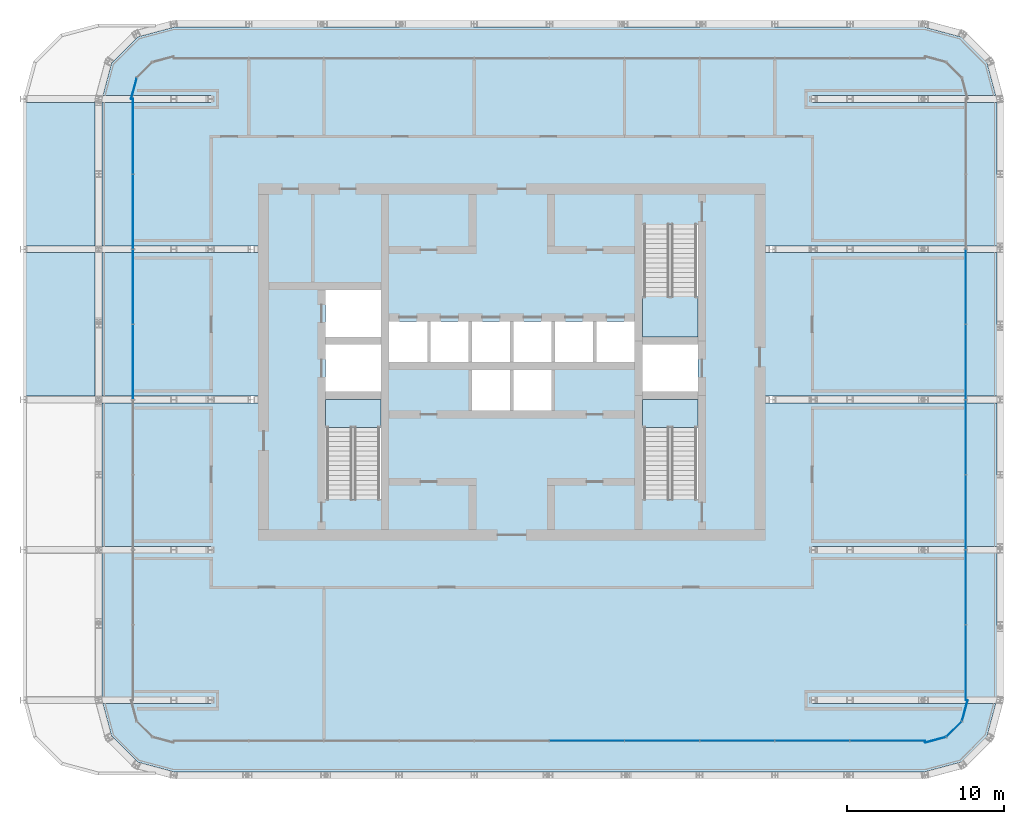
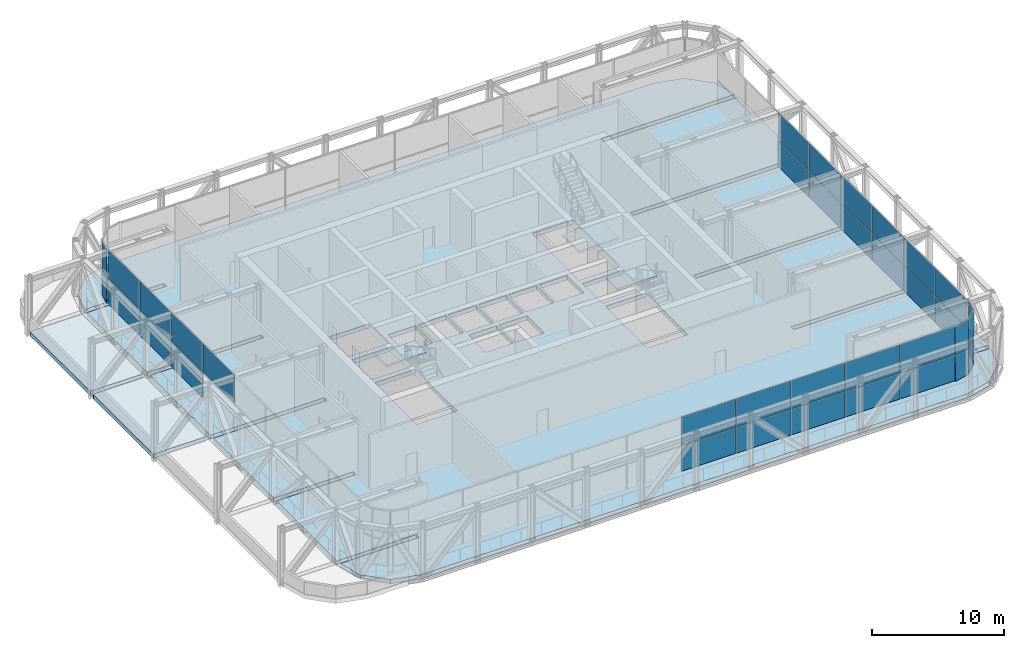
# One storey, part 18 of 30: 37 plates, 6 slabs, 8 elements without a shape of their own.
"""IFC4 building model written with IfcOpenShell, lengths in metres."""

from ifc_helpers import new_model, si_unit, direction, frame, origin, origin_2d, place, context, subcontext, project, spatial, polyline, rectangle, outline, extrude, material, layer, layer_set, type_object, element, aggregate, save


model = new_model("IFC4")

# Units and contexts
model_context = context("Model", 3, precision=1e-05, world=origin(), true_north=direction((0.0, 1.0)))
body_context = subcontext(model_context, "Body", "Model", "MODEL_VIEW")
ifc_project = project(units=[si_unit("LENGTHUNIT", "METRE"), si_unit("AREAUNIT", "SQUARE_METRE"), si_unit("VOLUMEUNIT", "CUBIC_METRE"), si_unit("PLANEANGLEUNIT", "RADIAN"), si_unit("MASSUNIT", "GRAM", prefix="KILO")], contexts=[model_context])

# Site, building, storey
site_placement = place(None, origin())
site = spatial("IfcSite", under=ifc_project, at=site_placement, CompositionType="ELEMENT")
building_placement = place(site_placement, origin())
building = spatial("IfcBuilding", under=site, at=building_placement, Name="Madar Terraces", CompositionType="ELEMENT")
storey_placement = place(building_placement, frame((0.0, 0.0, 173.5)))
storey = spatial("IfcBuildingStorey", under=building, at=storey_placement, Name="L45", CompositionType="ELEMENT", Elevation=173.5)

# Slab
ifc_material_1 = material(Name="Concrete C50/60", Category="concrete")
ifc_layer_1 = layer(ifc_material_1, 0.39990234375)
ifc_layer_set_1 = layer_set([ifc_layer_1], Name="FS6 PT flat slab 400")
slab_type_1 = type_object("IfcSlabType", Name="FS6 PT flat slab 400", PredefinedType="FLOOR", material=ifc_layer_set_1)
slab_1_placement = place(storey_placement, frame((0.0, 0.0, -0.39990234375)))
element("IfcSlab", 1, at=slab_1_placement, inside=storey, type_object=slab_type_1, Name="Floor slab L45 (1)", PredefinedType="FLOOR", context=body_context, shape_type="SweptSolid", body=[
    extrude(outline(polyline([(9.627685546875, 0.2109375), (57.572265625, 0.2109375), (59.890869140625, 0.83203125), (61.56787109375, 2.509033203125), (62.125244140625, 4.589111328125), (50.39990234375, 4.589111328125), (50.39990234375, 5.0107421875), (62.189208984375, 5.0107421875), (62.189208984375, 14.189208984375), (50.39990234375, 14.189208984375), (50.39990234375, 14.61083984375), (62.189208984375, 14.61083984375), (62.189208984375, 23.7890625), (47.39990234375, 23.7890625), (47.39990234375, 24.2109375), (62.189208984375, 24.2109375), (62.189208984375, 33.38916015625), (47.39990234375, 33.38916015625), (47.39990234375, 33.810791015625), (62.189208984375, 33.810791015625), (62.189208984375, 42.9892578125), (50.39990234375, 42.9892578125), (50.39990234375, 43.410888671875), (62.125244140625, 43.410888671875), (61.56787109375, 45.490966796875), (59.890869140625, 47.16796875), (57.572265625, 47.7890625), (9.627685546875, 47.7890625), (7.30908203125, 47.16796875), (5.632080078125, 45.490966796875), (5.07470703125, 43.410888671875), (12.0, 43.410888671875), (12.0, 42.9892578125), (5.0107421875, 42.9892578125), (5.0107421875, 33.810791015625), (15.0, 33.810791015625), (15.0, 33.38916015625), (5.0107421875, 33.38916015625), (5.0107421875, 24.2109375), (15.0, 24.2109375), (15.0, 23.7890625), (5.0107421875, 23.7890625), (5.0107421875, 14.61083984375), (12.0, 14.61083984375), (12.0, 14.189208984375), (5.0107421875, 14.189208984375), (5.0107421875, 5.0107421875), (12.0, 5.0107421875), (12.0, 4.589111328125), (5.07470703125, 4.589111328125), (5.632080078125, 2.509033203125), (7.30908203125, 0.83203125), (9.627685546875, 0.2109375)]), holes=[polyline([(22.85009765625, 17.64990234375), (19.300048828125, 17.64990234375), (19.300048828125, 24.0), (22.85009765625, 24.0), (22.85009765625, 17.64990234375)]), polyline([(28.64990234375, 23.300048828125), (28.64990234375, 25.89990234375), (31.10009765625, 25.89990234375), (31.10009765625, 23.300048828125), (28.64990234375, 23.300048828125)]), polyline([(19.300048828125, 24.5), (19.300048828125, 27.5), (22.85009765625, 27.5), (22.85009765625, 24.5), (19.300048828125, 24.5)]), polyline([(23.35009765625, 26.39990234375), (23.35009765625, 29.0), (25.800048828125, 29.0), (25.800048828125, 26.39990234375), (23.35009765625, 26.39990234375)]), polyline([(26.0, 26.39990234375), (26.0, 29.0), (28.449951171875, 29.0), (28.449951171875, 26.39990234375), (26.0, 26.39990234375)]), polyline([(28.64990234375, 26.39990234375), (28.64990234375, 29.0), (31.10009765625, 29.0), (31.10009765625, 26.39990234375), (28.64990234375, 26.39990234375)]), polyline([(19.300048828125, 28.0), (19.300048828125, 31.0), (22.85009765625, 31.0), (22.85009765625, 28.0), (19.300048828125, 28.0)]), polyline([(43.10009765625, 17.64990234375), (39.550048828125, 17.64990234375), (39.550048828125, 24.0), (43.10009765625, 24.0), (43.10009765625, 17.64990234375)]), polyline([(31.300048828125, 23.300048828125), (31.300048828125, 25.89990234375), (33.75, 25.89990234375), (33.75, 23.300048828125), (31.300048828125, 23.300048828125)]), polyline([(39.550048828125, 24.5), (39.550048828125, 27.5), (43.10009765625, 27.5), (43.10009765625, 24.5), (39.550048828125, 24.5)]), polyline([(31.300048828125, 26.39990234375), (31.300048828125, 29.0), (33.75, 29.0), (33.75, 26.39990234375), (31.300048828125, 26.39990234375)]), polyline([(33.949951171875, 26.39990234375), (33.949951171875, 29.0), (36.39990234375, 29.0), (36.39990234375, 26.39990234375), (33.949951171875, 26.39990234375)]), polyline([(36.60009765625, 26.39990234375), (36.60009765625, 29.0), (39.050048828125, 29.0), (39.050048828125, 26.39990234375), (36.60009765625, 26.39990234375)]), polyline([(39.550048828125, 28.0), (39.550048828125, 35.14990234375), (43.10009765625, 35.14990234375), (43.10009765625, 28.0), (39.550048828125, 28.0)])]), origin(), (0.0, 0.0, 1.0), 0.39990234375),
])

# Curtain wall, plates
ifc_material_2 = material(Name="Glass, ceramic frit dark grey, with black aluminium frame", Category="aluminium")
ifc_layer_2 = layer(ifc_material_2, 0.199951171875)
ifc_layer_set_2 = layer_set([ifc_layer_2], Name="Facade curtain wall, tall glazing")
curtain_wall_type = type_object("IfcCurtainWallType", Name="Facade curtain wall, tall glazing", PredefinedType="NOTDEFINED", material=ifc_layer_set_2)
curtain_wall_1_placement = place(storey_placement, origin())
curtain_wall_1 = element("IfcCurtainWall", 2, at=curtain_wall_1_placement, inside=storey, type_object=curtain_wall_type, Name="Outer skin curtain wall south bay 1", PredefinedType="NOTDEFINED")
ifc_material_3 = material(Name="Glass, ceramic frit dark grey", Category="glass")
ifc_layer_3 = layer(ifc_material_3, 0.028076171875)
ifc_layer_set_3 = layer_set([ifc_layer_3], Name="Facade glass panel 28")
plate_type = type_object("IfcPlateType", Name="Facade glass panel 28", PredefinedType="CURTAIN_PANEL", material=ifc_layer_set_3)
plate_1_placement = place(storey_placement, frame((36.0, 2.199951171875, 0.0), z_axis=(0.0, 0.0, 1.0), x_axis=(1.0, 0.0, 0.0)))
plate_1 = element("IfcPlate", 3, at=plate_1_placement, type_object=plate_type, Name="Panel 11", PredefinedType="CURTAIN_PANEL", context=body_context, shape_type="SweptSolid", body=[
    extrude(rectangle(XDim=4.739990234375, YDim=0.028076171875, at=origin_2d()), origin(), (0.0, 0.0, 1.0), 2.3701171875),
])
plate_2_placement = place(storey_placement, frame((36.0, 2.199951171875, 2.43017578125), z_axis=(0.0, 0.0, 1.0), x_axis=(1.0, 0.0, 0.0)))
plate_2 = element("IfcPlate", 4, at=plate_2_placement, type_object=plate_type, Name="Panel 12", PredefinedType="CURTAIN_PANEL", context=body_context, shape_type="SweptSolid", body=[
    extrude(rectangle(XDim=4.739990234375, YDim=0.028076171875, at=origin_2d()), origin(), (0.0, 0.0, 1.0), 2.610107421875),
])
plate_3_placement = place(storey_placement, frame((40.800048828125, 2.199951171875, 0.0), z_axis=(0.0, 0.0, 1.0), x_axis=(1.0, 0.0, 0.0)))
plate_3 = element("IfcPlate", 5, at=plate_3_placement, type_object=plate_type, Name="Panel 13", PredefinedType="CURTAIN_PANEL", context=body_context, shape_type="SweptSolid", body=[
    extrude(rectangle(XDim=4.739990234375, YDim=0.028076171875, at=origin_2d()), origin(), (0.0, 0.0, 1.0), 2.3701171875),
])
plate_4_placement = place(storey_placement, frame((40.800048828125, 2.199951171875, 2.43017578125), z_axis=(0.0, 0.0, 1.0), x_axis=(1.0, 0.0, 0.0)))
plate_4 = element("IfcPlate", 6, at=plate_4_placement, type_object=plate_type, Name="Panel 14", PredefinedType="CURTAIN_PANEL", context=body_context, shape_type="SweptSolid", body=[
    extrude(rectangle(XDim=4.739990234375, YDim=0.028076171875, at=origin_2d()), origin(), (0.0, 0.0, 1.0), 2.610107421875),
])
plate_5_placement = place(storey_placement, frame((45.60009765625, 2.199951171875, 0.0), z_axis=(0.0, 0.0, 1.0), x_axis=(1.0, 0.0, 0.0)))
plate_5 = element("IfcPlate", 7, at=plate_5_placement, type_object=plate_type, Name="Panel 15", PredefinedType="CURTAIN_PANEL", context=body_context, shape_type="SweptSolid", body=[
    extrude(rectangle(XDim=4.739990234375, YDim=0.028076171875, at=origin_2d()), origin(), (0.0, 0.0, 1.0), 2.3701171875),
])
plate_6_placement = place(storey_placement, frame((45.60009765625, 2.199951171875, 2.43017578125), z_axis=(0.0, 0.0, 1.0), x_axis=(1.0, 0.0, 0.0)))
plate_6 = element("IfcPlate", 8, at=plate_6_placement, type_object=plate_type, Name="Panel 16", PredefinedType="CURTAIN_PANEL", context=body_context, shape_type="SweptSolid", body=[
    extrude(rectangle(XDim=4.739990234375, YDim=0.028076171875, at=origin_2d()), origin(), (0.0, 0.0, 1.0), 2.610107421875),
])
plate_7_placement = place(storey_placement, frame((50.39990234375, 2.199951171875, 0.0), z_axis=(0.0, 0.0, 1.0), x_axis=(1.0, 0.0, 0.0)))
plate_7 = element("IfcPlate", 9, at=plate_7_placement, type_object=plate_type, Name="Panel 17", PredefinedType="CURTAIN_PANEL", context=body_context, shape_type="SweptSolid", body=[
    extrude(rectangle(XDim=4.739990234375, YDim=0.028076171875, at=origin_2d()), origin(), (0.0, 0.0, 1.0), 2.3701171875),
])
plate_8_placement = place(storey_placement, frame((50.39990234375, 2.199951171875, 2.43017578125), z_axis=(0.0, 0.0, 1.0), x_axis=(1.0, 0.0, 0.0)))
plate_8 = element("IfcPlate", 10, at=plate_8_placement, type_object=plate_type, Name="Panel 18", PredefinedType="CURTAIN_PANEL", context=body_context, shape_type="SweptSolid", body=[
    extrude(rectangle(XDim=4.739990234375, YDim=0.028076171875, at=origin_2d()), origin(), (0.0, 0.0, 1.0), 2.610107421875),
])
plate_9_placement = place(storey_placement, frame((55.215087890625, 2.199951171875, 0.0), z_axis=(0.0, 0.0, 1.0), x_axis=(1.0, 0.0, 0.0)))
plate_9 = element("IfcPlate", 11, at=plate_9_placement, type_object=plate_type, Name="Panel 19", PredefinedType="CURTAIN_PANEL", context=body_context, shape_type="SweptSolid", body=[
    extrude(rectangle(XDim=4.77001953125, YDim=0.028076171875, at=origin_2d()), origin(), (0.0, 0.0, 1.0), 2.3701171875),
])
plate_10_placement = place(storey_placement, frame((55.215087890625, 2.199951171875, 2.43017578125), z_axis=(0.0, 0.0, 1.0), x_axis=(1.0, 0.0, 0.0)))
plate_10 = element("IfcPlate", 12, at=plate_10_placement, type_object=plate_type, Name="Panel 20", PredefinedType="CURTAIN_PANEL", context=body_context, shape_type="SweptSolid", body=[
    extrude(rectangle(XDim=4.77001953125, YDim=0.028076171875, at=origin_2d()), origin(), (0.0, 0.0, 1.0), 2.610107421875),
])
aggregate(curtain_wall_1, [plate_1, plate_2, plate_3, plate_4, plate_5, plate_6, plate_7, plate_8, plate_9, plate_10])

curtain_wall_2_placement = place(storey_placement, origin())
curtain_wall_2 = element("IfcCurtainWall", 13, at=curtain_wall_2_placement, inside=storey, type_object=curtain_wall_type, Name="Outer skin curtain wall east bay 1", PredefinedType="NOTDEFINED")
plate_11_placement = place(storey_placement, frame((60.199951171875, 7.18505859375, 0.0), z_axis=(0.0, 0.0, 1.0), x_axis=(0.0, 1.0, 0.0)))
plate_11 = element("IfcPlate", 14, at=plate_11_placement, type_object=plate_type, Name="Panel 1", PredefinedType="CURTAIN_PANEL", context=body_context, shape_type="SweptSolid", body=[
    extrude(rectangle(XDim=4.77001953125, YDim=0.028076171875, at=origin_2d()), origin(), (0.0, 0.0, 1.0), 2.3701171875),
])
plate_12_placement = place(storey_placement, frame((60.199951171875, 7.18505859375, 2.43017578125), z_axis=(0.0, 0.0, 1.0), x_axis=(0.0, 1.0, 0.0)))
plate_12 = element("IfcPlate", 15, at=plate_12_placement, type_object=plate_type, Name="Panel 2", PredefinedType="CURTAIN_PANEL", context=body_context, shape_type="SweptSolid", body=[
    extrude(rectangle(XDim=4.77001953125, YDim=0.028076171875, at=origin_2d()), origin(), (0.0, 0.0, 1.0), 2.610107421875),
])
plate_13_placement = place(storey_placement, frame((60.199951171875, 12.0, 0.0), z_axis=(0.0, 0.0, 1.0), x_axis=(0.0, 1.0, 0.0)))
plate_13 = element("IfcPlate", 16, at=plate_13_placement, type_object=plate_type, Name="Panel 3", PredefinedType="CURTAIN_PANEL", context=body_context, shape_type="SweptSolid", body=[
    extrude(rectangle(XDim=4.739990234375, YDim=0.028076171875, at=origin_2d()), origin(), (0.0, 0.0, 1.0), 2.3701171875),
])
plate_14_placement = place(storey_placement, frame((60.199951171875, 12.0, 2.43017578125), z_axis=(0.0, 0.0, 1.0), x_axis=(0.0, 1.0, 0.0)))
plate_14 = element("IfcPlate", 17, at=plate_14_placement, type_object=plate_type, Name="Panel 4", PredefinedType="CURTAIN_PANEL", context=body_context, shape_type="SweptSolid", body=[
    extrude(rectangle(XDim=4.739990234375, YDim=0.028076171875, at=origin_2d()), origin(), (0.0, 0.0, 1.0), 2.610107421875),
])
plate_15_placement = place(storey_placement, frame((60.199951171875, 16.800048828125, 0.0), z_axis=(0.0, 0.0, 1.0), x_axis=(0.0, 1.0, 0.0)))
plate_15 = element("IfcPlate", 18, at=plate_15_placement, type_object=plate_type, Name="Panel 5", PredefinedType="CURTAIN_PANEL", context=body_context, shape_type="SweptSolid", body=[
    extrude(rectangle(XDim=4.739990234375, YDim=0.028076171875, at=origin_2d()), origin(), (0.0, 0.0, 1.0), 2.3701171875),
])
plate_16_placement = place(storey_placement, frame((60.199951171875, 16.800048828125, 2.43017578125), z_axis=(0.0, 0.0, 1.0), x_axis=(0.0, 1.0, 0.0)))
plate_16 = element("IfcPlate", 19, at=plate_16_placement, type_object=plate_type, Name="Panel 6", PredefinedType="CURTAIN_PANEL", context=body_context, shape_type="SweptSolid", body=[
    extrude(rectangle(XDim=4.739990234375, YDim=0.028076171875, at=origin_2d()), origin(), (0.0, 0.0, 1.0), 2.610107421875),
])
plate_17_placement = place(storey_placement, frame((60.199951171875, 21.60009765625, 0.0), z_axis=(0.0, 0.0, 1.0), x_axis=(0.0, 1.0, 0.0)))
plate_17 = element("IfcPlate", 20, at=plate_17_placement, type_object=plate_type, Name="Panel 7", PredefinedType="CURTAIN_PANEL", context=body_context, shape_type="SweptSolid", body=[
    extrude(rectangle(XDim=4.739990234375, YDim=0.028076171875, at=origin_2d()), origin(), (0.0, 0.0, 1.0), 2.3701171875),
])
plate_18_placement = place(storey_placement, frame((60.199951171875, 21.60009765625, 2.43017578125), z_axis=(0.0, 0.0, 1.0), x_axis=(0.0, 1.0, 0.0)))
plate_18 = element("IfcPlate", 21, at=plate_18_placement, type_object=plate_type, Name="Panel 8", PredefinedType="CURTAIN_PANEL", context=body_context, shape_type="SweptSolid", body=[
    extrude(rectangle(XDim=4.739990234375, YDim=0.028076171875, at=origin_2d()), origin(), (0.0, 0.0, 1.0), 2.610107421875),
])
plate_19_placement = place(storey_placement, frame((60.199951171875, 26.39990234375, 0.0), z_axis=(0.0, 0.0, 1.0), x_axis=(0.0, 1.0, 0.0)))
plate_19 = element("IfcPlate", 22, at=plate_19_placement, type_object=plate_type, Name="Panel 9", PredefinedType="CURTAIN_PANEL", context=body_context, shape_type="SweptSolid", body=[
    extrude(rectangle(XDim=4.739990234375, YDim=0.028076171875, at=origin_2d()), origin(), (0.0, 0.0, 1.0), 2.3701171875),
])
plate_20_placement = place(storey_placement, frame((60.199951171875, 26.39990234375, 2.43017578125), z_axis=(0.0, 0.0, 1.0), x_axis=(0.0, 1.0, 0.0)))
plate_20 = element("IfcPlate", 23, at=plate_20_placement, type_object=plate_type, Name="Panel 10", PredefinedType="CURTAIN_PANEL", context=body_context, shape_type="SweptSolid", body=[
    extrude(rectangle(XDim=4.739990234375, YDim=0.028076171875, at=origin_2d()), origin(), (0.0, 0.0, 1.0), 2.610107421875),
])
plate_21_placement = place(storey_placement, frame((60.199951171875, 31.199951171875, 0.0), z_axis=(0.0, 0.0, 1.0), x_axis=(0.0, 1.0, 0.0)))
plate_21 = element("IfcPlate", 24, at=plate_21_placement, type_object=plate_type, Name="Panel 11", PredefinedType="CURTAIN_PANEL", context=body_context, shape_type="SweptSolid", body=[
    extrude(rectangle(XDim=4.739990234375, YDim=0.028076171875, at=origin_2d()), origin(), (0.0, 0.0, 1.0), 2.3701171875),
])
plate_22_placement = place(storey_placement, frame((60.199951171875, 31.199951171875, 2.43017578125), z_axis=(0.0, 0.0, 1.0), x_axis=(0.0, 1.0, 0.0)))
plate_22 = element("IfcPlate", 25, at=plate_22_placement, type_object=plate_type, Name="Panel 12", PredefinedType="CURTAIN_PANEL", context=body_context, shape_type="SweptSolid", body=[
    extrude(rectangle(XDim=4.739990234375, YDim=0.028076171875, at=origin_2d()), origin(), (0.0, 0.0, 1.0), 2.610107421875),
])
aggregate(curtain_wall_2, [plate_11, plate_12, plate_13, plate_14, plate_15, plate_16, plate_17, plate_18, plate_19, plate_20, plate_21, plate_22])

curtain_wall_3_placement = place(storey_placement, origin())
curtain_wall_3 = element("IfcCurtainWall", 26, at=curtain_wall_3_placement, inside=storey, type_object=curtain_wall_type, Name="Outer skin curtain wall west bay 1", PredefinedType="NOTDEFINED")
plate_23_placement = place(storey_placement, frame((7.0, 40.81494140625, 0.0), z_axis=(0.0, 0.0, 1.0), x_axis=(0.0, -1.0, 0.0)))
plate_23 = element("IfcPlate", 27, at=plate_23_placement, type_object=plate_type, Name="Panel 1", PredefinedType="CURTAIN_PANEL", context=body_context, shape_type="SweptSolid", body=[
    extrude(rectangle(XDim=4.77001953125, YDim=0.028076171875, at=origin_2d()), origin(), (0.0, 0.0, 1.0), 2.3701171875),
])
plate_24_placement = place(storey_placement, frame((7.0, 40.81494140625, 2.43017578125), z_axis=(0.0, 0.0, 1.0), x_axis=(0.0, -1.0, 0.0)))
plate_24 = element("IfcPlate", 28, at=plate_24_placement, type_object=plate_type, Name="Panel 2", PredefinedType="CURTAIN_PANEL", context=body_context, shape_type="SweptSolid", body=[
    extrude(rectangle(XDim=4.77001953125, YDim=0.028076171875, at=origin_2d()), origin(), (0.0, 0.0, 1.0), 2.610107421875),
])
plate_25_placement = place(storey_placement, frame((7.0, 36.0, 0.0), z_axis=(0.0, 0.0, 1.0), x_axis=(0.0, -1.0, 0.0)))
plate_25 = element("IfcPlate", 29, at=plate_25_placement, type_object=plate_type, Name="Panel 3", PredefinedType="CURTAIN_PANEL", context=body_context, shape_type="SweptSolid", body=[
    extrude(rectangle(XDim=4.739990234375, YDim=0.028076171875, at=origin_2d()), origin(), (0.0, 0.0, 1.0), 2.3701171875),
])
plate_26_placement = place(storey_placement, frame((7.0, 36.0, 2.43017578125), z_axis=(0.0, 0.0, 1.0), x_axis=(0.0, -1.0, 0.0)))
plate_26 = element("IfcPlate", 30, at=plate_26_placement, type_object=plate_type, Name="Panel 4", PredefinedType="CURTAIN_PANEL", context=body_context, shape_type="SweptSolid", body=[
    extrude(rectangle(XDim=4.739990234375, YDim=0.028076171875, at=origin_2d()), origin(), (0.0, 0.0, 1.0), 2.610107421875),
])
plate_27_placement = place(storey_placement, frame((7.0, 31.199951171875, 0.0), z_axis=(0.0, 0.0, 1.0), x_axis=(0.0, -1.0, 0.0)))
plate_27 = element("IfcPlate", 31, at=plate_27_placement, type_object=plate_type, Name="Panel 5", PredefinedType="CURTAIN_PANEL", context=body_context, shape_type="SweptSolid", body=[
    extrude(rectangle(XDim=4.739990234375, YDim=0.028076171875, at=origin_2d()), origin(), (0.0, 0.0, 1.0), 2.3701171875),
])
plate_28_placement = place(storey_placement, frame((7.0, 31.199951171875, 2.43017578125), z_axis=(0.0, 0.0, 1.0), x_axis=(0.0, -1.0, 0.0)))
plate_28 = element("IfcPlate", 32, at=plate_28_placement, type_object=plate_type, Name="Panel 6", PredefinedType="CURTAIN_PANEL", context=body_context, shape_type="SweptSolid", body=[
    extrude(rectangle(XDim=4.739990234375, YDim=0.028076171875, at=origin_2d()), origin(), (0.0, 0.0, 1.0), 2.610107421875),
])
plate_29_placement = place(storey_placement, frame((7.0, 26.39990234375, 2.43017578125), z_axis=(0.0, 0.0, 1.0), x_axis=(0.0, -1.0, 0.0)))
plate_29 = element("IfcPlate", 33, at=plate_29_placement, type_object=plate_type, Name="Panel 8", PredefinedType="CURTAIN_PANEL", context=body_context, shape_type="SweptSolid", body=[
    extrude(rectangle(XDim=4.739990234375, YDim=0.028076171875, at=origin_2d()), origin(), (0.0, 0.0, 1.0), 2.610107421875),
])
aggregate(curtain_wall_3, [plate_23, plate_24, plate_25, plate_26, plate_27, plate_28, plate_29])

curtain_wall_4_placement = place(storey_placement, origin())
curtain_wall_4 = element("IfcCurtainWall", 34, at=curtain_wall_4_placement, inside=storey, type_object=curtain_wall_type, Name="Outer skin curtain wall south-east corner", PredefinedType="NOTDEFINED")
plate_30_placement = place(storey_placement, frame((58.265625, 2.25830078125, 0.0), z_axis=(0.0, 0.0, 1.0), x_axis=(0.965925808834, 0.258819110244, 0.0)))
plate_30 = element("IfcPlate", 35, at=plate_30_placement, type_object=plate_type, Name="Panel 1", PredefinedType="CURTAIN_PANEL", context=body_context, shape_type="SweptSolid", body=[
    extrude(rectangle(XDim=1.3779296875, YDim=0.028076171875, at=origin_2d()), origin(), (0.0, 0.0, 1.0), 2.3701171875),
])
plate_31_placement = place(storey_placement, frame((58.265625, 2.25830078125, 2.43017578125), z_axis=(0.0, 0.0, 1.0), x_axis=(0.965925808834, 0.258819110244, 0.0)))
plate_31 = element("IfcPlate", 36, at=plate_31_placement, type_object=plate_type, Name="Panel 2", PredefinedType="CURTAIN_PANEL", context=body_context, shape_type="SweptSolid", body=[
    extrude(rectangle(XDim=1.3779296875, YDim=0.028076171875, at=origin_2d()), origin(), (0.0, 0.0, 1.0), 2.610107421875),
])
plate_32_placement = place(storey_placement, frame((59.457763671875, 2.942138671875, 0.0), z_axis=(0.0, 0.0, 1.0), x_axis=(0.707106781187, 0.707106781187, 0.0)))
plate_32 = element("IfcPlate", 37, at=plate_32_placement, type_object=plate_type, Name="Panel 3", PredefinedType="CURTAIN_PANEL", context=body_context, shape_type="SweptSolid", body=[
    extrude(rectangle(XDim=1.347900390625, YDim=0.028076171875, at=origin_2d()), origin(), (0.0, 0.0, 1.0), 2.3701171875),
])
plate_33_placement = place(storey_placement, frame((59.457763671875, 2.942138671875, 2.43017578125), z_axis=(0.0, 0.0, 1.0), x_axis=(0.707106781187, 0.707106781187, 0.0)))
plate_33 = element("IfcPlate", 38, at=plate_33_placement, type_object=plate_type, Name="Panel 4", PredefinedType="CURTAIN_PANEL", context=body_context, shape_type="SweptSolid", body=[
    extrude(rectangle(XDim=1.347900390625, YDim=0.028076171875, at=origin_2d()), origin(), (0.0, 0.0, 1.0), 2.610107421875),
])
plate_34_placement = place(storey_placement, frame((60.1416015625, 4.134521484375, 0.0), z_axis=(0.0, 0.0, 1.0), x_axis=(0.258819110244, 0.965925808834, 0.0)))
plate_34 = element("IfcPlate", 39, at=plate_34_placement, type_object=plate_type, Name="Panel 5", PredefinedType="CURTAIN_PANEL", context=body_context, shape_type="SweptSolid", body=[
    extrude(rectangle(XDim=1.3779296875, YDim=0.028076171875, at=origin_2d()), origin(), (0.0, 0.0, 1.0), 2.3701171875),
])
plate_35_placement = place(storey_placement, frame((60.1416015625, 4.134521484375, 2.43017578125), z_axis=(0.0, 0.0, 1.0), x_axis=(0.258819110244, 0.965925808834, 0.0)))
plate_35 = element("IfcPlate", 40, at=plate_35_placement, type_object=plate_type, Name="Panel 6", PredefinedType="CURTAIN_PANEL", context=body_context, shape_type="SweptSolid", body=[
    extrude(rectangle(XDim=1.3779296875, YDim=0.028076171875, at=origin_2d()), origin(), (0.0, 0.0, 1.0), 2.610107421875),
])
aggregate(curtain_wall_4, [plate_30, plate_31, plate_32, plate_33, plate_34, plate_35])

curtain_wall_5_placement = place(storey_placement, origin())
curtain_wall_5 = element("IfcCurtainWall", 41, at=curtain_wall_5_placement, inside=storey, type_object=curtain_wall_type, Name="Outer skin curtain wall north-west corner", PredefinedType="NOTDEFINED")
plate_36_placement = place(storey_placement, frame((7.058349609375, 43.865478515625, 0.0), z_axis=(0.0, 0.0, 1.0), x_axis=(-0.258819110244, -0.965925808834, 0.0)))
plate_36 = element("IfcPlate", 42, at=plate_36_placement, type_object=plate_type, Name="Panel 5", PredefinedType="CURTAIN_PANEL", context=body_context, shape_type="SweptSolid", body=[
    extrude(rectangle(XDim=1.3779296875, YDim=0.028076171875, at=origin_2d()), origin(), (0.0, 0.0, 1.0), 2.3701171875),
])
plate_37_placement = place(storey_placement, frame((7.058349609375, 43.865478515625, 2.43017578125), z_axis=(0.0, 0.0, 1.0), x_axis=(-0.258819110244, -0.965925808834, 0.0)))
plate_37 = element("IfcPlate", 43, at=plate_37_placement, type_object=plate_type, Name="Panel 6", PredefinedType="CURTAIN_PANEL", context=body_context, shape_type="SweptSolid", body=[
    extrude(rectangle(XDim=1.3779296875, YDim=0.028076171875, at=origin_2d()), origin(), (0.0, 0.0, 1.0), 2.610107421875),
])
aggregate(curtain_wall_5, [plate_36, plate_37])

# Stair, slab
ifc_material_4 = material(Name="Concrete C50/60", Category="concrete")
stair_type_1 = type_object("IfcStairType", Name="Stair ST1 protected exit", PredefinedType="HALF_TURN_STAIR", material=ifc_material_4)
stair_1_placement = place(storey_placement, origin())
stair_1 = element("IfcStair", 44, at=stair_1_placement, inside=storey, type_object=stair_type_1, Name="L45 Protected Exit Stair ST1", PredefinedType="HALF_TURN_STAIR")
ifc_material_5 = material(Name="Concrete C50/60", Category="concrete")
ifc_layer_4 = layer(ifc_material_5, 0.199951171875)
ifc_layer_set_4 = layer_set([ifc_layer_4], Name="Stair landing 200, top +2.70")
slab_type_2 = type_object("IfcSlabType", Name="Stair landing 200, top +2.70", PredefinedType="LANDING", material=ifc_layer_set_4)
slab_2_placement = place(storey_placement, frame((0.0, 0.0, 2.5)))
slab_2 = element("IfcSlab", 45, at=slab_2_placement, type_object=slab_type_2, Name="ST1 landing 1", PredefinedType="LANDING", context=body_context, shape_type="SweptSolid", body=[
    extrude(outline(polyline([(19.300048828125, 22.219970703125), (22.85009765625, 22.219970703125), (22.85009765625, 24.0), (19.300048828125, 24.0), (19.300048828125, 22.219970703125)])), origin(), (0.0, 0.0, 1.0), 0.199951171875),
])
aggregate(stair_1, [slab_2])

ifc_material_6 = material(Name="Concrete C50/60", Category="concrete")
stair_type_2 = type_object("IfcStairType", Name="Stair ST2 protected exit", PredefinedType="HALF_TURN_STAIR", material=ifc_material_6)
stair_2_placement = place(storey_placement, origin())
stair_2 = element("IfcStair", 46, at=stair_2_placement, inside=storey, type_object=stair_type_2, Name="L45 Protected Exit Stair ST2", PredefinedType="HALF_TURN_STAIR")
slab_3_placement = place(storey_placement, frame((0.0, 0.0, 2.5)))
slab_3 = element("IfcSlab", 47, at=slab_3_placement, type_object=slab_type_2, Name="ST2 landing 1", PredefinedType="LANDING", context=body_context, shape_type="SweptSolid", body=[
    extrude(outline(polyline([(39.550048828125, 28.0), (43.10009765625, 28.0), (43.10009765625, 30.580078125), (39.550048828125, 30.580078125), (39.550048828125, 28.0)])), origin(), (0.0, 0.0, 1.0), 0.199951171875),
])
aggregate(stair_2, [slab_3])

ifc_material_7 = material(Name="Concrete C50/60", Category="concrete")
stair_type_3 = type_object("IfcStairType", Name="Stair ST3 protected exit", PredefinedType="HALF_TURN_STAIR", material=ifc_material_7)
stair_3_placement = place(storey_placement, origin())
stair_3 = element("IfcStair", 48, at=stair_3_placement, inside=storey, type_object=stair_type_3, Name="L45 Protected Exit Stair ST3", PredefinedType="HALF_TURN_STAIR")
slab_4_placement = place(storey_placement, frame((0.0, 0.0, 2.5)))
slab_4 = element("IfcSlab", 49, at=slab_4_placement, type_object=slab_type_2, Name="ST3 landing 1", PredefinedType="LANDING", context=body_context, shape_type="SweptSolid", body=[
    extrude(outline(polyline([(39.550048828125, 22.219970703125), (43.10009765625, 22.219970703125), (43.10009765625, 24.0), (39.550048828125, 24.0), (39.550048828125, 22.219970703125)])), origin(), (0.0, 0.0, 1.0), 0.199951171875),
])
aggregate(stair_3, [slab_4])

# Slabs
ifc_material_8 = material(Name="Concrete C50/60", Category="concrete")
ifc_layer_5 = layer(ifc_material_8, 0.39990234375)
ifc_layer_set_5 = layer_set([ifc_layer_5], Name="TS1 PT terrace slab 400")
slab_type_3 = type_object("IfcSlabType", Name="TS1 PT terrace slab 400", PredefinedType="FLOOR", material=ifc_layer_set_5)
slab_5_placement = place(storey_placement, frame((0.0, 0.0, -0.39990234375)))
element("IfcSlab", 50, at=slab_5_placement, inside=storey, type_object=slab_type_3, Name="Terrace roof slab L45 (3)", PredefinedType="FLOOR", context=body_context, shape_type="SweptSolid", body=[
    extrude(outline(polyline([(0.000244140625, 33.343994140625), (0.0, 33.339111328125), (0.0, 24.2607421875), (0.000244140625, 24.255859375), (0.0009765625, 24.2509765625), (0.002197265625, 24.246337890625), (0.00390625, 24.24169921875), (0.005859375, 24.2373046875), (0.008544921875, 24.233154296875), (0.01123046875, 24.22900390625), (0.0146484375, 24.2255859375), (0.018310546875, 24.22216796875), (0.022216796875, 24.21923828125), (0.0263671875, 24.216796875), (0.03076171875, 24.214599609375), (0.035400390625, 24.212890625), (0.040283203125, 24.211669921875), (0.045166015625, 24.211181640625), (0.050048828125, 24.2109375), (4.5390625, 24.2109375), (4.544189453125, 24.211181640625), (4.548828125, 24.211669921875), (4.5537109375, 24.212890625), (4.558349609375, 24.214599609375), (4.562744140625, 24.216796875), (4.56689453125, 24.21923828125), (4.57080078125, 24.22216796875), (4.574462890625, 24.2255859375), (4.577880859375, 24.22900390625), (4.580810546875, 24.233154296875), (4.583251953125, 24.2373046875), (4.58544921875, 24.24169921875), (4.5869140625, 24.246337890625), (4.588134765625, 24.2509765625), (4.5888671875, 24.255859375), (4.589111328125, 24.2607421875), (4.589111328125, 33.339111328125), (4.5888671875, 33.343994140625), (4.588134765625, 33.348876953125), (4.5869140625, 33.353759765625), (4.58544921875, 33.3583984375), (4.583251953125, 33.36279296875), (4.580810546875, 33.366943359375), (4.577880859375, 33.370849609375), (4.574462890625, 33.37451171875), (4.57080078125, 33.3779296875), (4.56689453125, 33.380859375), (4.562744140625, 33.38330078125), (4.558349609375, 33.38525390625), (4.5537109375, 33.386962890625), (4.548828125, 33.38818359375), (4.544189453125, 33.388916015625), (4.5390625, 33.38916015625), (0.050048828125, 33.38916015625), (0.045166015625, 33.388916015625), (0.040283203125, 33.38818359375), (0.035400390625, 33.386962890625), (0.03076171875, 33.38525390625), (0.0263671875, 33.38330078125), (0.022216796875, 33.380859375), (0.018310546875, 33.3779296875), (0.0146484375, 33.37451171875), (0.01123046875, 33.370849609375), (0.008544921875, 33.366943359375), (0.005859375, 33.36279296875), (0.00390625, 33.3583984375), (0.002197265625, 33.353759765625), (0.0009765625, 33.348876953125), (0.000244140625, 33.343994140625)])), origin(), (0.0, 0.0, 1.0), 0.39990234375),
])
slab_6_placement = place(storey_placement, frame((0.0, 0.0, -0.39990234375)))
element("IfcSlab", 51, at=slab_6_placement, inside=storey, type_object=slab_type_3, Name="Terrace roof slab L45 (4)", PredefinedType="FLOOR", context=body_context, shape_type="SweptSolid", body=[
    extrude(outline(polyline([(0.0009765625, 42.948974609375), (0.000244140625, 42.944091796875), (0.0, 42.939208984375), (0.0, 33.86083984375), (0.000244140625, 33.85595703125), (0.0009765625, 33.85107421875), (0.002197265625, 33.84619140625), (0.00390625, 33.841796875), (0.005859375, 33.837158203125), (0.008544921875, 33.8330078125), (0.01123046875, 33.8291015625), (0.0146484375, 33.825439453125), (0.018310546875, 33.822265625), (0.022216796875, 33.8193359375), (0.0263671875, 33.816650390625), (0.03076171875, 33.814697265625), (0.035400390625, 33.81298828125), (0.040283203125, 33.811767578125), (0.045166015625, 33.81103515625), (0.050048828125, 33.810791015625), (4.5390625, 33.810791015625), (4.544189453125, 33.81103515625), (4.548828125, 33.811767578125), (4.5537109375, 33.81298828125), (4.558349609375, 33.814697265625), (4.562744140625, 33.816650390625), (4.56689453125, 33.8193359375), (4.57080078125, 33.822265625), (4.574462890625, 33.825439453125), (4.577880859375, 33.8291015625), (4.580810546875, 33.8330078125), (4.583251953125, 33.837158203125), (4.58544921875, 33.841796875), (4.5869140625, 33.84619140625), (4.588134765625, 33.85107421875), (4.5888671875, 33.85595703125), (4.589111328125, 33.86083984375), (4.589111328125, 42.939208984375), (4.5888671875, 42.944091796875), (4.588134765625, 42.948974609375), (4.5869140625, 42.95361328125), (4.58544921875, 42.958251953125), (4.583251953125, 42.962646484375), (4.580810546875, 42.967041015625), (4.577880859375, 42.970947265625), (4.574462890625, 42.974609375), (4.57080078125, 42.977783203125), (4.56689453125, 42.980712890625), (4.562744140625, 42.983154296875), (4.558349609375, 42.9853515625), (4.5537109375, 42.987060546875), (4.548828125, 42.98828125), (4.544189453125, 42.989013671875), (4.5390625, 42.9892578125), (0.050048828125, 42.9892578125), (0.045166015625, 42.989013671875), (0.040283203125, 42.98828125), (0.035400390625, 42.987060546875), (0.03076171875, 42.9853515625), (0.0263671875, 42.983154296875), (0.022216796875, 42.980712890625), (0.018310546875, 42.977783203125), (0.0146484375, 42.974609375), (0.01123046875, 42.970947265625), (0.008544921875, 42.967041015625), (0.005859375, 42.962646484375), (0.00390625, 42.958251953125), (0.002197265625, 42.95361328125), (0.0009765625, 42.948974609375)])), origin(), (0.0, 0.0, 1.0), 0.39990234375),
])

save(model, "model.ifc")
